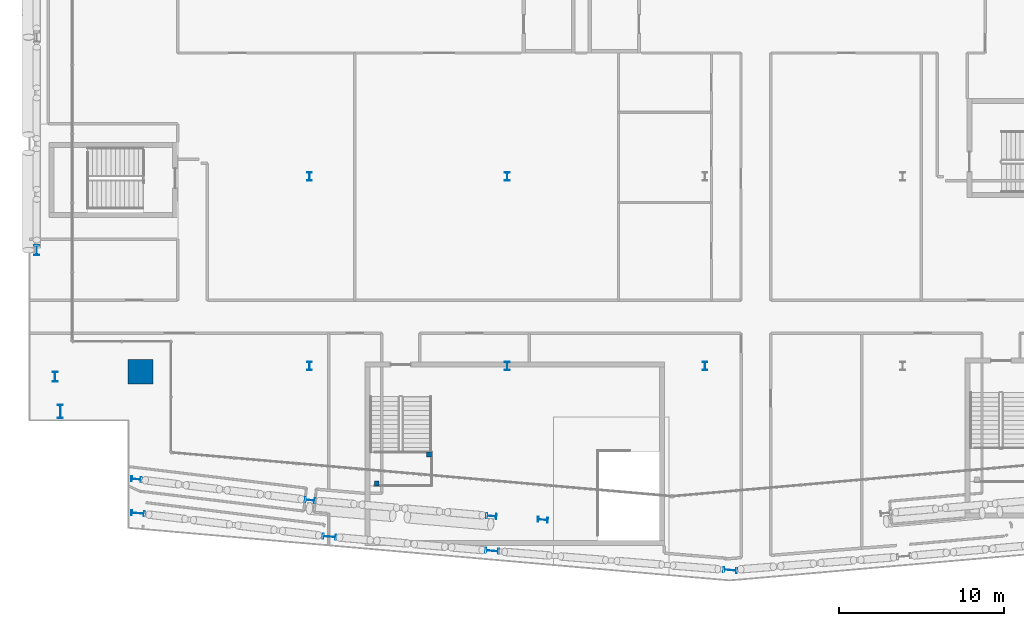
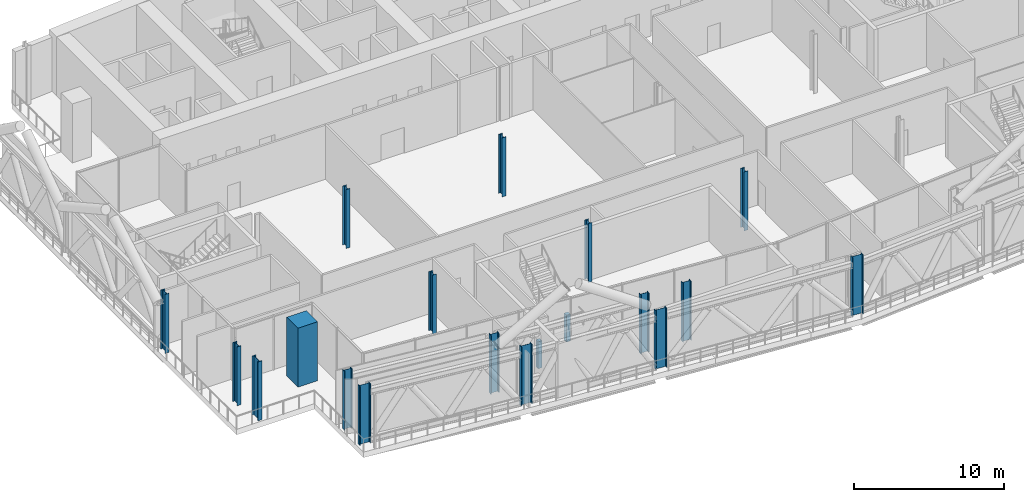
# One storey, part 1 of 42: 19 columns.
"""IFC4 building model written with IfcOpenShell, lengths in metres."""

from ifc_helpers import new_model, si_unit, direction, frame, origin, origin_2d, place, context, subcontext, project, spatial, rectangle, i_section, extrude, material, material_profile, profile_set, type_object, element, save


model = new_model("IFC4")

# Units and contexts
model_context = context("Model", 3, precision=1e-05, world=origin(), true_north=direction((0.0, 1.0)))
body_context = subcontext(model_context, "Body", "Model", "MODEL_VIEW")
ifc_project = project(units=[si_unit("LENGTHUNIT", "METRE"), si_unit("AREAUNIT", "SQUARE_METRE"), si_unit("VOLUMEUNIT", "CUBIC_METRE"), si_unit("PLANEANGLEUNIT", "RADIAN"), si_unit("MASSUNIT", "GRAM", prefix="KILO")], contexts=[model_context])

# Site, building, storey
site_placement = place(None, origin())
site = spatial("IfcSite", under=ifc_project, at=site_placement, CompositionType="ELEMENT")
building_placement = place(site_placement, origin())
building = spatial("IfcBuilding", under=site, at=building_placement, Name="Wharfspan Tower", CompositionType="ELEMENT")
storey_placement = place(building_placement, frame((0.0, 0.0, 147.100098)))
storey = spatial("IfcBuildingStorey", under=building, at=storey_placement, Name="L35", CompositionType="ELEMENT", Elevation=147.100098)

# Columns
ifc_material_1 = material(Name="Steel S355J2", Category="steel")
ifc_material_profile_1 = material_profile(ifc_material_1, i_section(OverallWidth=0.300049, OverallDepth=0.5, WebThickness=0.014404, FlangeThickness=0.028076, FilletRadius=0.0271, at=origin_2d()))
ifc_profile_set_1 = profile_set([ifc_material_profile_1], Name="Steel S355J2")
column_type_1 = type_object("IfcColumnType", Name="Column HEB 500", PredefinedType="COLUMN", material=ifc_profile_set_1)
for number, where, z_axis, x_axis, name in (
    (1, (24.0, 11.5, 0.0), (0.0, 0.0, 1.0), (1.0, 0.0, 0.0), "Interior column I.1.1 L35"),
    (2, (36.0, 11.5, 0.0), (0.0, 0.0, 1.0), (1.0, 0.0, 0.0), "Interior column I.1.2 L35"),
    (3, (48.0, 11.5, 0.0), (0.0, 0.0, 1.0), (1.0, 0.0, 0.0), "Interior column I.1.3 L35"),
    (4, (24.0, 23.0, 0.0), (0.0, 0.0, 1.0), (1.0, 0.0, 0.0), "Interior column I.2.1 L35"),
    (5, (36.0, 23.0, 0.0), (0.0, 0.0, 1.0), (1.0, 0.0, 0.0), "Interior column I.2.2 L35"),
):
    element("IfcColumn", number, at=place(storey_placement, frame(where, z_axis=z_axis, x_axis=x_axis)), inside=storey, type_object=column_type_1, Name=name, PredefinedType="COLUMN", context=body_context, shape_type="SweptSolid", body=[
        extrude(i_section(OverallWidth=0.300049, OverallDepth=0.5, WebThickness=0.014404, FlangeThickness=0.028076, FilletRadius=0.0271, at=origin_2d()), origin(), (0.0, 0.0, 1.0), 4.799805),
    ])
ifc_material_profile_2 = material_profile(ifc_material_1, i_section(OverallWidth=0.304932, OverallDepth=0.620117, WebThickness=0.020996, FlangeThickness=0.040039, FilletRadius=0.0271, at=origin_2d()))
ifc_profile_set_2 = profile_set([ifc_material_profile_2], Name="Steel S355J2")
column_type_2 = type_object("IfcColumnType", Name="Column HEM 600", PredefinedType="COLUMN", material=ifc_profile_set_2)
for number, where, z_axis, x_axis, name in (
    (6, (13.490723, 4.637451, 0.0), (0.0, 0.0, 1.0), (-0.087156, -0.996198, 0.0), "Perimeter column PS1.1 L35"),
    (7, (24.039307, 3.361084, 0.0), (0.0, 0.0, 1.0), (-0.087156, -0.996198, 0.0), "Perimeter column PS1.2 L35"),
    (8, (35.039307, 2.398682, 0.0), (0.0, 0.0, 1.0), (-0.087156, -0.996198, 0.0), "Perimeter column PS1.3 L35"),
    (9, (38.161133, 2.174072, 0.0), (0.0, 0.0, 1.0), (-0.087156, -0.996198, 0.0), "Perimeter column PS1.4 L35"),
    (10, (7.449951, 18.533447, 0.0), (0.0, 0.0, 1.0), (-1.0, 0.0, 0.0), "Perimeter column PW.2 L35"),
    (11, (8.560791, 10.854004, 0.0), (0.0, 0.0, 1.0), (-1.0, 0.0, 0.0), "Perimeter column PW.3 L35"),
):
    element("IfcColumn", number, at=place(storey_placement, frame(where, z_axis=z_axis, x_axis=x_axis)), inside=storey, type_object=column_type_2, Name=name, PredefinedType="COLUMN", context=body_context, shape_type="SweptSolid", body=[
        extrude(i_section(OverallWidth=0.304932, OverallDepth=0.620117, WebThickness=0.020996, FlangeThickness=0.040039, FilletRadius=0.0271, at=origin_2d()), origin(), (0.0, 0.0, 1.0), 4.799805),
    ])
ifc_material_profile_3 = material_profile(ifc_material_1, i_section(OverallWidth=0.302979, OverallDepth=0.813965, WebThickness=0.020996, FlangeThickness=0.040039, FilletRadius=0.030029, at=origin_2d()))
ifc_profile_set_3 = profile_set([ifc_material_profile_3], Name="Steel S355J2")
column_type_3 = type_object("IfcColumnType", Name="Column HEM 800", PredefinedType="COLUMN", material=ifc_profile_set_3)
for number, where, z_axis, x_axis, name in (
    (12, (13.590576, 2.569336, 0.0), (0.0, 0.0, 1.0), (-0.087156, -0.996198, 0.0), "Perimeter column PS1.1.S L35"),
    (13, (25.213623, 1.148682, 0.0), (0.0, 0.0, 1.0), (-0.087156, -0.996198, 0.0), "Perimeter column PS1.2.S L35"),
    (14, (35.089111, 0.284668, 0.0), (0.0, 0.0, 1.0), (-0.087156, -0.996198, 0.0), "Perimeter column PS1.3.S L35"),
    (15, (49.53125, -0.881592, 0.0), (0.0, 0.0, 1.0), (-0.087156, -0.996198, 0.0), "Perimeter column PS1.4.S L35"),
    (16, (8.884521, 8.742676, 0.0), (0.0, 0.0, 1.0), (-1.0, 0.0, 0.0), "Perimeter column PW.3.S L35"),
):
    element("IfcColumn", number, at=place(storey_placement, frame(where, z_axis=z_axis, x_axis=x_axis)), inside=storey, type_object=column_type_3, Name=name, PredefinedType="COLUMN", context=body_context, shape_type="SweptSolid", body=[
        extrude(i_section(OverallWidth=0.302979, OverallDepth=0.813965, WebThickness=0.020996, FlangeThickness=0.040039, FilletRadius=0.030029, at=origin_2d()), origin(), (0.0, 0.0, 1.0), 4.799805),
    ])
ifc_material_2 = material(Name="Concrete C40/50", Category="concrete")
ifc_material_profile_4 = material_profile(ifc_material_2, rectangle(XDim=0.300049, YDim=0.300049, at=origin_2d()))
ifc_profile_set_4 = profile_set([ifc_material_profile_4], Name="Concrete C40/50")
column_type_4 = type_object("IfcColumnType", Name="Landing pier 300 C40/50", PredefinedType="COLUMN", material=ifc_profile_set_4)
for number, where, z_axis, x_axis, name in (
    (17, (28.080078, 4.384033, 0.0), (0.0, 0.0, 1.0), (1.0, 0.0, 0.0), "ST4 landing pier L35"),
    (18, (31.263916, 6.124023, 0.0), (0.0, 0.0, 1.0), (1.0, 0.0, 0.0), "ST4 landing pier L35"),
):
    element("IfcColumn", number, at=place(storey_placement, frame(where, z_axis=z_axis, x_axis=x_axis)), inside=storey, type_object=column_type_4, Name=name, PredefinedType="COLUMN", context=body_context, shape_type="SweptSolid", body=[
        extrude(rectangle(XDim=0.300049, YDim=0.300049, at=origin_2d()), origin(), (0.0, 0.0, 1.0), 2.199951),
    ])
ifc_material_3 = material(Name="Concrete C60/75", Category="concrete")
ifc_material_profile_5 = material_profile(ifc_material_3, rectangle(XDim=1.5, YDim=1.5, at=origin_2d()))
ifc_profile_set_5 = profile_set([ifc_material_profile_5], Name="Concrete C60/75")
column_type_5 = type_object("IfcColumnType", Name="Mega column 1500 C60/75", PredefinedType="COLUMN", material=ifc_profile_set_5)
column_placement = place(storey_placement, frame((13.75, 11.149902, 0.0), z_axis=(0.0, 0.0, 1.0), x_axis=(1.0, 0.0, 0.0)))
element("IfcColumn", 19, at=column_placement, inside=storey, type_object=column_type_5, Name="Mega column MC1 L35", PredefinedType="COLUMN", context=body_context, shape_type="SweptSolid", body=[
    extrude(rectangle(XDim=1.5, YDim=1.5, at=origin_2d()), origin(), (0.0, 0.0, 1.0), 4.799805),
])

save(model, "model.ifc")
